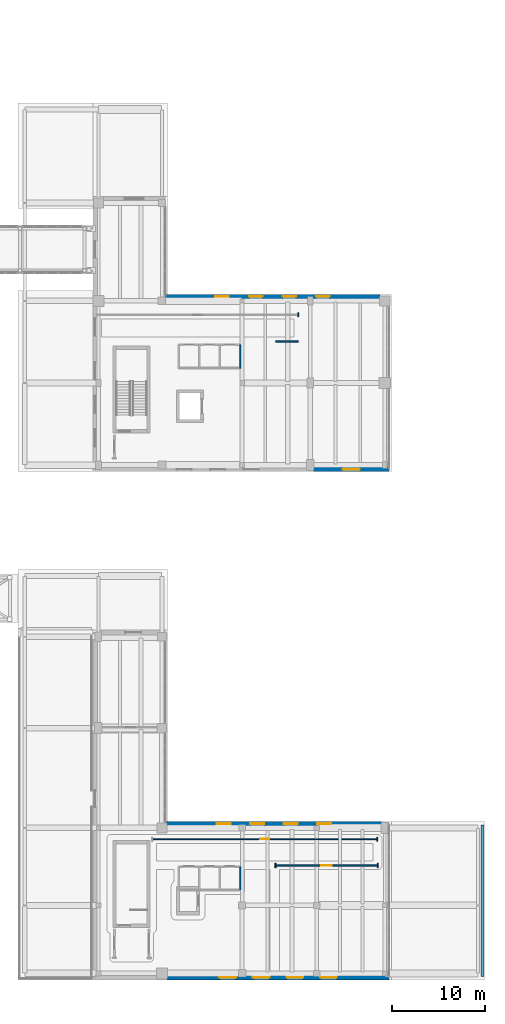
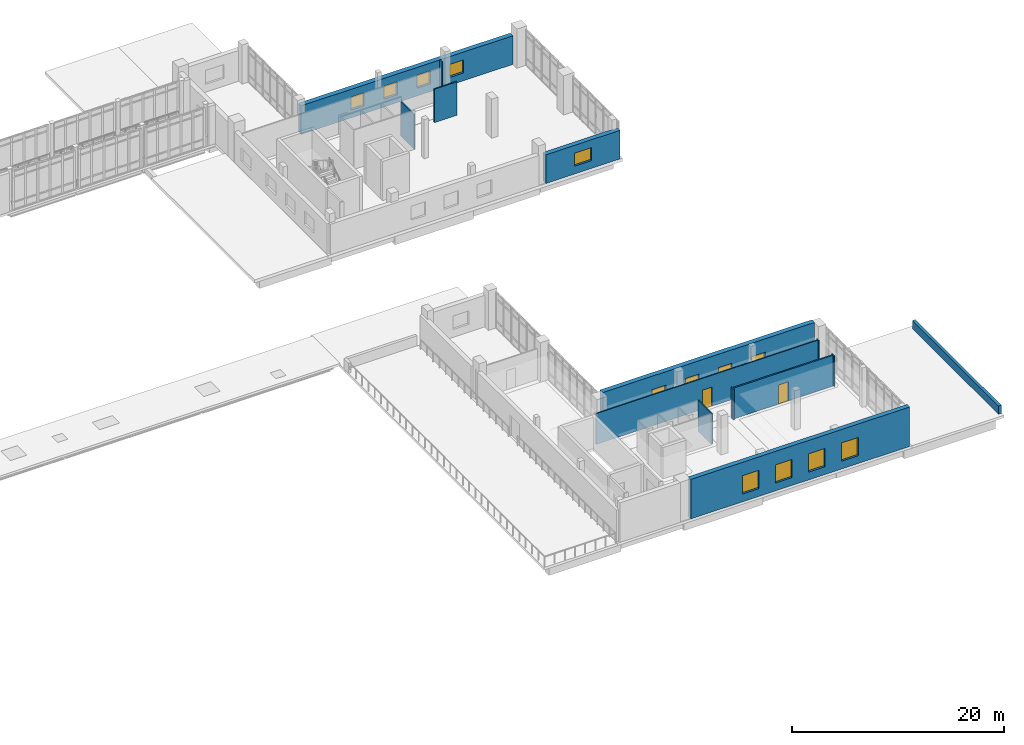
# One storey, part 60 of 75: 14 walls, 13 windows, 2 doors, 15 openings.
"""IFC4 building model written with IfcOpenShell, lengths in metres."""

from ifc_helpers import new_model, si_unit, direction, frame, frame_2d, origin, place, context, subcontext, project, spatial, rectangle, extrude, material, layer, layer_set, type_object, element, fill, save


model = new_model("IFC4")

# Units and contexts
model_context = context("Model", 3, precision=1e-05, world=origin(), true_north=direction((0.0, 1.0)))
body_context = subcontext(model_context, "Body", "Model", "MODEL_VIEW")
ifc_project = project(units=[si_unit("LENGTHUNIT", "METRE"), si_unit("AREAUNIT", "SQUARE_METRE"), si_unit("VOLUMEUNIT", "CUBIC_METRE"), si_unit("PLANEANGLEUNIT", "RADIAN"), si_unit("MASSUNIT", "GRAM", prefix="KILO")], contexts=[model_context])

# Site, building, storey
site_placement = place(None, origin())
site = spatial("IfcSite", under=ifc_project, at=site_placement, CompositionType="ELEMENT")
building_placement = place(site_placement, origin())
building = spatial("IfcBuilding", under=site, at=building_placement, Name="Soyqirgoq Riverine Aquarium", CompositionType="ELEMENT")
storey_placement = place(building_placement, frame((0.0, 0.0, 10.199951171875)))
storey = spatial("IfcBuildingStorey", under=building, at=storey_placement, Name="L03", CompositionType="ELEMENT", Elevation=10.199951171875)

# Wall
ifc_material_1 = material(Name="Precast concrete C40/50", Category="concrete")
ifc_layer_1 = layer(ifc_material_1, 0.300048828125)
ifc_layer_set_1 = layer_set([ifc_layer_1], Name="Precast concrete C40/50")
wall_type_1 = type_object("IfcWallType", Name="ParapetWall_300", PredefinedType="PARAPET", material=ifc_layer_set_1)
wall_1_placement = place(storey_placement, frame((163.780029296875, 18.1201171875, 0.0), z_axis=(0.0, 0.0, 1.0), x_axis=(0.0, -1.0, 0.0)))
element("IfcWall", 1, at=wall_1_placement, inside=storey, type_object=wall_type_1, Name="L03 Roof Parapet Upstand 006", PredefinedType="PARAPET", context=body_context, shape_type="SweptSolid", body=[
    extrude(rectangle(XDim=16.240234375, YDim=0.300048828125, at=frame_2d((8.1201171875, 0.0))), origin(), (0.0, 0.0, 1.0), 0.949951171875),
])

# Wall, opening, door
ifc_material_2 = material(Name="Lightweight steel-stud gypsum partition", Category="steel")
ifc_layer_2 = layer(ifc_material_2, 0.1201171875)
ifc_layer_set_2 = layer_set([ifc_layer_2], Name="Lightweight steel-stud gypsum partition")
wall_type_2 = type_object("IfcWallType", Name="PartitionWall_120_Std", PredefinedType="PARTITIONING", material=ifc_layer_set_2)
wall_2_placement = place(storey_placement, frame((152.5, 16.60009765625, 0.0), z_axis=(0.0, 0.0, 1.0), x_axis=(-1.0, 0.0, 0.0)))
wall_2 = element("IfcWall", 2, at=wall_2_placement, inside=storey, type_object=wall_type_2, Name="Library Reading Corridor Partition Wall", PredefinedType="PARTITIONING", context=body_context, shape_type="SweptSolid", body=[
    extrude(rectangle(XDim=24.14990234375, YDim=0.1201171875, at=frame_2d((12.074951171875, 0.0))), origin(), (0.0, 0.0, 1.0), 3.550048828125),
])
opening_1_placement = place(wall_2_placement, frame((11.574951171875, 0.0, 0.0)))
opening_1 = element("IfcOpeningElement", 3, at=opening_1_placement, cuts=wall_2, Name="Opening ID-03", PredefinedType="OPENING", context=body_context, shape_type="SweptSolid", body=[
    extrude(rectangle(XDim=1.0, YDim=2.199951171875, at=frame_2d((0.5, 1.10009765625))), frame((0.0, 0.070068359375, 0.0), z_axis=(0.0, -1.0, 0.0), x_axis=(1.0, 0.0, 0.0)), (0.0, 0.0, 1.0), 0.14013671875),
])
ifc_material_3 = material(Name="Solid-core ash veneer room door", Category="wood")
door_type_1 = type_object("IfcDoorType", Name="RoomDoor_1000x2200", OperationType="NOTDEFINED", PredefinedType="DOOR", material=ifc_material_3)
door_1_placement = place(opening_1_placement, origin())
door_1 = element("IfcDoor", 4, at=door_1_placement, inside=storey, type_object=door_type_1, Name="IDR-V6-L03-0200 Library Reading Corridor Door", OperationType="SINGLE_SWING_RIGHT", OverallHeight=2.199951171875, OverallWidth=1.0, PredefinedType="DOOR", context=body_context, shape_type="SweptSolid", body=[
    extrude(rectangle(XDim=1.0, YDim=2.199951171875, at=frame_2d((0.5, 1.10009765625))), frame((0.0, 0.02490234375, 0.0), z_axis=(0.0, -1.0, 0.0), x_axis=(1.0, 0.0, 0.0)), (0.0, 0.0, 1.0), 0.050048828125),
])
fill(opening_1, door_1)

# Walls
wall_3_placement = place(storey_placement, frame((152.5, 16.820068359375, 0.0), z_axis=(0.0, 0.0, 1.0), x_axis=(0.0, -1.0, 0.0)))
element("IfcWall", 5, at=wall_3_placement, inside=storey, type_object=wall_type_2, Name="V6 L03 Jamb Return Pier", PredefinedType="PARTITIONING", context=body_context, shape_type="SweptSolid", body=[
    extrude(rectangle(XDim=0.440185546875, YDim=0.1201171875, at=frame_2d((0.22021484375, 0.0))), origin(), (0.0, 0.0, 1.0), 3.550048828125),
])
for number, where, z_axis, x_axis, name in (
    (6, (152.530029296875, 13.989990234375, 0.0), (0.0, 0.0, 1.0), (0.0, -1.0, 0.0), "V6 L03 Jamb Return Pier"),
    (7, (141.580078125, 13.989990234375, 0.0), (0.0, 0.0, 1.0), (0.0, -1.0, 0.0), "V6 L03 Jamb Return Pier"),
):
    element("IfcWall", number, at=place(storey_placement, frame(where, z_axis=z_axis, x_axis=x_axis)), inside=storey, type_object=wall_type_2, Name=name, PredefinedType="PARTITIONING", context=body_context, shape_type="SweptSolid", body=[
        extrude(rectangle(XDim=0.43994140625, YDim=0.1201171875, at=frame_2d((0.219970703125, 0.0))), origin(), (0.0, 0.0, 1.0), 3.550048828125),
    ])
wall_4_placement = place(storey_placement, frame((144.0, 73.02001953125, 0.0), z_axis=(0.0, 0.0, 1.0), x_axis=(0.0, -1.0, 0.0)))
element("IfcWall", 8, at=wall_4_placement, inside=storey, type_object=wall_type_2, Name="V7 L03 Jamb Return Pier", PredefinedType="PARTITIONING", context=body_context, shape_type="SweptSolid", body=[
    extrude(rectangle(XDim=0.43994140625, YDim=0.1201171875, at=frame_2d((0.219970703125, 0.0))), origin(), (0.0, 0.0, 1.0), 4.5),
])
ifc_material_4 = material(Name="Moisture-resistant cement-board wet-room partition", Category="gypsum")
ifc_layer_3 = layer(ifc_material_4, 0.125)
ifc_layer_set_3 = layer_set([ifc_layer_3], Name="Moisture-resistant cement-board wet-room partition")
wall_type_3 = type_object("IfcWallType", Name="PartitionWall_125_Wet", PredefinedType="PARTITIONING", material=ifc_layer_set_3)
wall_5_placement = place(storey_placement, frame((137.800048828125, 11.14990234375, 0.0), z_axis=(0.0, 0.0, 1.0), x_axis=(0.0, 1.0, 0.0)))
element("IfcWall", 9, at=wall_5_placement, inside=storey, type_object=wall_type_3, Name="V6 L03 WC Suite East Wall", PredefinedType="PARTITIONING", context=body_context, shape_type="SweptSolid", body=[
    extrude(rectangle(XDim=2.5, YDim=0.125, at=frame_2d((1.25, 0.0))), origin(), (0.0, 0.0, 1.0), 3.550048828125),
])
wall_6_placement = place(storey_placement, frame((137.800048828125, 67.10009765625, 0.0), z_axis=(0.0, 0.0, 1.0), x_axis=(0.0, 1.0, 0.0)))
element("IfcWall", 10, at=wall_6_placement, inside=storey, type_object=wall_type_3, Name="V7 L03 WC Suite East Wall", PredefinedType="PARTITIONING", context=body_context, shape_type="SweptSolid", body=[
    extrude(rectangle(XDim=2.5, YDim=0.125, at=frame_2d((1.25, 0.0))), origin(), (0.0, 0.0, 1.0), 3.949951171875),
])

# Wall, opening, door
ifc_material_5 = material(Name="Fire-rated acoustic gypsum stud partition", Category="gypsum")
ifc_layer_4 = layer(ifc_material_5, 0.159912109375)
ifc_layer_set_4 = layer_set([ifc_layer_4], Name="Fire-rated acoustic gypsum stud partition")
wall_type_4 = type_object("IfcWallType", Name="PartitionWall_160_EI60", PredefinedType="PARTITIONING", material=ifc_layer_set_4)
wall_7_placement = place(storey_placement, frame((152.530029296875, 13.77001953125, 0.0), z_axis=(0.0, 0.0, 1.0), x_axis=(-1.0, 0.0, 0.0)))
wall_7 = element("IfcWall", 11, at=wall_7_placement, inside=storey, type_object=wall_type_4, Name="Marine Seminar Room Partition Wall", PredefinedType="PARTITIONING", context=body_context, shape_type="SweptSolid", body=[
    extrude(rectangle(XDim=10.949951171875, YDim=0.159912109375, at=frame_2d((5.47509765625, 0.0))), origin(), (0.0, 0.0, 1.0), 3.550048828125),
])
opening_2_placement = place(wall_7_placement, frame((4.925048828125, 0.0, 0.0)))
opening_2 = element("IfcOpeningElement", 12, at=opening_2_placement, cuts=wall_7, Name="Opening ID-04", PredefinedType="OPENING", context=body_context, shape_type="SweptSolid", body=[
    extrude(rectangle(XDim=1.10009765625, YDim=2.199951171875, at=frame_2d((0.550048828125, 1.10009765625))), frame((0.0, 0.08984375, 0.0), z_axis=(0.0, -1.0, 0.0), x_axis=(1.0, 0.0, 0.0)), (0.0, 0.0, 1.0), 0.179931640625),
])
ifc_material_6 = material(Name="Chemical-resistant HPL fire-rated laboratory door", Category="wood")
door_type_2 = type_object("IfcDoorType", Name="LabDoor_1100x2200_EI60", OperationType="NOTDEFINED", PredefinedType="DOOR", material=ifc_material_6)
door_2_placement = place(opening_2_placement, origin())
door_2 = element("IfcDoor", 13, at=door_2_placement, inside=storey, type_object=door_type_2, Name="IDR-V6-L03-0202 Library Reading Corridor Door", OperationType="SINGLE_SWING_RIGHT", OverallHeight=2.199951171875, OverallWidth=1.10009765625, PredefinedType="DOOR", context=body_context, shape_type="SweptSolid", body=[
    extrude(rectangle(XDim=1.10009765625, YDim=2.199951171875, at=frame_2d((0.550048828125, 1.10009765625))), frame((0.0, 0.02490234375, 0.0), z_axis=(0.0, -1.0, 0.0), x_axis=(1.0, 0.0, 0.0)), (0.0, 0.0, 1.0), 0.050048828125),
])
fill(opening_2, door_2)

# Wall
wall_8_placement = place(storey_placement, frame((144.030029296875, 69.969970703125, 0.0), z_axis=(0.0, 0.0, 1.0), x_axis=(-1.0, 0.0, 0.0)))
element("IfcWall", 14, at=wall_8_placement, inside=storey, type_object=wall_type_4, Name="Veterinary Laboratory Partition Wall", PredefinedType="PARTITIONING", context=body_context, shape_type="SweptSolid", body=[
    extrude(rectangle(XDim=2.449951171875, YDim=0.159912109375, at=frame_2d((1.22509765625, 0.0))), origin(), (0.0, 0.0, 1.0), 3.840087890625),
])

# Wall, openings, windows
ifc_material_7 = material(Name="Honed travertine limestone cavity wall", Category="masonry")
ifc_layer_5 = layer(ifc_material_7, 0.5)
ifc_layer_set_5 = layer_set([ifc_layer_5], Name="Honed travertine limestone cavity wall")
wall_type_5 = type_object("IfcWallType", Name="TravertineCavityWall_500", PredefinedType="SOLIDWALL", material=ifc_layer_set_5)
wall_9_placement = place(storey_placement, frame((153.75, 1.75, 0.0), z_axis=(0.0, 0.0, 1.0), x_axis=(-1.0, 0.0, 0.0)))
wall_9 = element("IfcWall", 15, at=wall_9_placement, inside=storey, type_object=wall_type_5, Name="V6 L03 Exterior Travertine Wall 0361", PredefinedType="SOLIDWALL", context=body_context, shape_type="SweptSolid", body=[
    extrude(rectangle(XDim=23.780029296875, YDim=0.5, at=frame_2d((11.89013671875, 0.0))), origin(), (0.0, 0.0, 1.0), 4.5400390625),
])
opening_3_placement = place(wall_9_placement, frame((5.590087890625, 0.0, 0.89990234375)))
opening_3 = element("IfcOpeningElement", 16, at=opening_3_placement, cuts=wall_9, Name="Opening WN-05", PredefinedType="OPENING", context=body_context, shape_type="SweptSolid", body=[
    extrude(rectangle(XDim=1.800048828125, YDim=2.10009765625, at=frame_2d((0.89990234375, 1.050048828125))), frame((0.0, 0.260009765625, 0.0), z_axis=(0.0, -1.0, 0.0), x_axis=(1.0, 0.0, 0.0)), (0.0, 0.0, 1.0), 0.52001953125),
])
opening_4_placement = place(wall_9_placement, frame((9.18994140625, 0.0, 0.89990234375)))
opening_4 = element("IfcOpeningElement", 17, at=opening_4_placement, cuts=wall_9, Name="Opening WN-05", PredefinedType="OPENING", context=body_context, shape_type="SweptSolid", body=[
    extrude(rectangle(XDim=1.800048828125, YDim=2.10009765625, at=frame_2d((0.89990234375, 1.050048828125))), frame((0.0, 0.260009765625, 0.0), z_axis=(0.0, -1.0, 0.0), x_axis=(1.0, 0.0, 0.0)), (0.0, 0.0, 1.0), 0.52001953125),
])
opening_5_placement = place(wall_9_placement, frame((12.7900390625, 0.0, 0.89990234375)))
opening_5 = element("IfcOpeningElement", 18, at=opening_5_placement, cuts=wall_9, Name="Opening WN-05", PredefinedType="OPENING", context=body_context, shape_type="SweptSolid", body=[
    extrude(rectangle(XDim=1.800048828125, YDim=2.10009765625, at=frame_2d((0.89990234375, 1.050048828125))), frame((0.0, 0.260009765625, 0.0), z_axis=(0.0, -1.0, 0.0), x_axis=(1.0, 0.0, 0.0)), (0.0, 0.0, 1.0), 0.52001953125),
])
opening_6_placement = place(wall_9_placement, frame((16.389892578125, 0.0, 0.89990234375)))
opening_6 = element("IfcOpeningElement", 19, at=opening_6_placement, cuts=wall_9, Name="Opening WN-05", PredefinedType="OPENING", context=body_context, shape_type="SweptSolid", body=[
    extrude(rectangle(XDim=1.800048828125, YDim=2.10009765625, at=frame_2d((0.89990234375, 1.050048828125))), frame((0.0, 0.260009765625, 0.0), z_axis=(0.0, -1.0, 0.0), x_axis=(1.0, 0.0, 0.0)), (0.0, 0.0, 1.0), 0.52001953125),
])
ifc_material_8 = material(Name="Thermally broken aluminium triple low-E window", Category="aluminium")
window_type_1 = type_object("IfcWindowType", Name="Win_Gallery_1800x2100", PartitioningType="DOUBLE_PANEL_VERTICAL", PredefinedType="WINDOW", material=ifc_material_8)
window_1_placement = place(opening_3_placement, origin())
window_1 = element("IfcWindow", 20, at=window_1_placement, inside=storey, type_object=window_type_1, Name="V6 L03 Facade Window 0299", OverallHeight=2.10009765625, OverallWidth=1.800048828125, PartitioningType="DOUBLE_PANEL_VERTICAL", PredefinedType="WINDOW", context=body_context, shape_type="SweptSolid", body=[
    extrude(rectangle(XDim=1.800048828125, YDim=2.10009765625, at=frame_2d((0.89990234375, 1.050048828125))), frame((0.0, 0.030029296875, 0.0), z_axis=(0.0, -1.0, 0.0), x_axis=(1.0, 0.0, 0.0)), (0.0, 0.0, 1.0), 0.06005859375),
])
fill(opening_3, window_1)
window_2_placement = place(opening_4_placement, origin())
window_2 = element("IfcWindow", 21, at=window_2_placement, inside=storey, type_object=window_type_1, Name="V6 L03 Facade Window 0300", OverallHeight=2.10009765625, OverallWidth=1.800048828125, PartitioningType="DOUBLE_PANEL_VERTICAL", PredefinedType="WINDOW", context=body_context, shape_type="SweptSolid", body=[
    extrude(rectangle(XDim=1.800048828125, YDim=2.10009765625, at=frame_2d((0.89990234375, 1.050048828125))), frame((0.0, 0.030029296875, 0.0), z_axis=(0.0, -1.0, 0.0), x_axis=(1.0, 0.0, 0.0)), (0.0, 0.0, 1.0), 0.06005859375),
])
fill(opening_4, window_2)
window_3_placement = place(opening_5_placement, origin())
window_3 = element("IfcWindow", 22, at=window_3_placement, inside=storey, type_object=window_type_1, Name="V6 L03 Facade Window 0301", OverallHeight=2.10009765625, OverallWidth=1.800048828125, PartitioningType="DOUBLE_PANEL_VERTICAL", PredefinedType="WINDOW", context=body_context, shape_type="SweptSolid", body=[
    extrude(rectangle(XDim=1.800048828125, YDim=2.10009765625, at=frame_2d((0.89990234375, 1.050048828125))), frame((0.0, 0.030029296875, 0.0), z_axis=(0.0, -1.0, 0.0), x_axis=(1.0, 0.0, 0.0)), (0.0, 0.0, 1.0), 0.06005859375),
])
fill(opening_5, window_3)
window_4_placement = place(opening_6_placement, origin())
window_4 = element("IfcWindow", 23, at=window_4_placement, inside=storey, type_object=window_type_1, Name="V6 L03 Facade Window 0302", OverallHeight=2.10009765625, OverallWidth=1.800048828125, PartitioningType="DOUBLE_PANEL_VERTICAL", PredefinedType="WINDOW", context=body_context, shape_type="SweptSolid", body=[
    extrude(rectangle(XDim=1.800048828125, YDim=2.10009765625, at=frame_2d((0.89990234375, 1.050048828125))), frame((0.0, 0.030029296875, 0.0), z_axis=(0.0, -1.0, 0.0), x_axis=(1.0, 0.0, 0.0)), (0.0, 0.0, 1.0), 0.06005859375),
])
fill(opening_6, window_4)

# Wall, opening, window
wall_10_placement = place(storey_placement, frame((153.75, 56.25, 0.0), z_axis=(0.0, 0.0, 1.0), x_axis=(-1.0, 0.0, 0.0)))
wall_10 = element("IfcWall", 24, at=wall_10_placement, inside=storey, type_object=wall_type_5, Name="V7 L03 Exterior Travertine Wall 0392", PredefinedType="SOLIDWALL", context=body_context, shape_type="SweptSolid", body=[
    extrude(rectangle(XDim=8.080078125, YDim=0.5, at=frame_2d((4.0400390625, 0.0))), origin(), (0.0, 0.0, 1.0), 3.2900390625),
])
opening_7_placement = place(wall_10_placement, frame((3.114990234375, 0.0, 0.89990234375)))
opening_7 = element("IfcOpeningElement", 25, at=opening_7_placement, cuts=wall_10, Name="Opening WN-16", PredefinedType="OPENING", context=body_context, shape_type="SweptSolid", body=[
    extrude(rectangle(XDim=1.85009765625, YDim=1.5, at=frame_2d((0.925048828125, 0.75))), frame((0.0, 0.260009765625, 0.0), z_axis=(0.0, -1.0, 0.0), x_axis=(1.0, 0.0, 0.0)), (0.0, 0.0, 1.0), 0.52001953125),
])
ifc_material_9 = material(Name="Thermally broken aluminium triple low-E window", Category="aluminium")
window_type_2 = type_object("IfcWindowType", Name="Win_Lab_1850x1500", PartitioningType="DOUBLE_PANEL_VERTICAL", PredefinedType="WINDOW", material=ifc_material_9)
window_5_placement = place(opening_7_placement, origin())
window_5 = element("IfcWindow", 26, at=window_5_placement, inside=storey, type_object=window_type_2, Name="V7 L03 Facade Window 0357", OverallHeight=1.5, OverallWidth=1.85009765625, PartitioningType="DOUBLE_PANEL_VERTICAL", PredefinedType="WINDOW", context=body_context, shape_type="SweptSolid", body=[
    extrude(rectangle(XDim=1.85009765625, YDim=1.5, at=frame_2d((0.925048828125, 0.75))), frame((0.0, 0.030029296875, 0.0), z_axis=(0.0, -1.0, 0.0), x_axis=(1.0, 0.0, 0.0)), (0.0, 0.0, 1.0), 0.06005859375),
])
fill(opening_7, window_5)

# Wall, openings, windows
ifc_material_10 = material(Name="Honed travertine limestone cavity wall", Category="masonry")
ifc_layer_6 = layer(ifc_material_10, 0.52001953125)
ifc_layer_set_6 = layer_set([ifc_layer_6], Name="Honed travertine limestone cavity wall")
wall_type_6 = type_object("IfcWallType", Name="TravertineCavityWall_520", PredefinedType="SOLIDWALL", material=ifc_layer_set_6)
wall_11_placement = place(storey_placement, frame((129.919921875, 18.25, 0.0), z_axis=(0.0, 0.0, 1.0), x_axis=(1.0, 0.0, 0.0)))
wall_11 = element("IfcWall", 27, at=wall_11_placement, inside=storey, type_object=wall_type_6, Name="V6 L03 Exterior Travertine Wall 0360", PredefinedType="SOLIDWALL", context=body_context, shape_type="SweptSolid", body=[
    extrude(rectangle(XDim=23.010009765625, YDim=0.52001953125, at=frame_2d((11.5048828125, 0.0))), origin(), (0.0, 0.0, 1.0), 4.5400390625),
])
opening_8_placement = place(wall_11_placement, frame((5.35498046875, 0.0, 0.89990234375)))
opening_8 = element("IfcOpeningElement", 28, at=opening_8_placement, cuts=wall_11, Name="Opening WN-04", PredefinedType="OPENING", context=body_context, shape_type="SweptSolid", body=[
    extrude(rectangle(XDim=1.5, YDim=2.10009765625, at=frame_2d((0.75, 1.050048828125))), frame((0.0, 0.27001953125, 0.0), z_axis=(0.0, -1.0, 0.0), x_axis=(1.0, 0.0, 0.0)), (0.0, 0.0, 1.0), 0.5400390625),
])
opening_9_placement = place(wall_11_placement, frame((8.955078125, 0.0, 0.89990234375)))
opening_9 = element("IfcOpeningElement", 29, at=opening_9_placement, cuts=wall_11, Name="Opening WN-04", PredefinedType="OPENING", context=body_context, shape_type="SweptSolid", body=[
    extrude(rectangle(XDim=1.5, YDim=2.10009765625, at=frame_2d((0.75, 1.050048828125))), frame((0.0, 0.27001953125, 0.0), z_axis=(0.0, -1.0, 0.0), x_axis=(1.0, 0.0, 0.0)), (0.0, 0.0, 1.0), 0.5400390625),
])
opening_10_placement = place(wall_11_placement, frame((12.554931640625, 0.0, 0.89990234375)))
opening_10 = element("IfcOpeningElement", 30, at=opening_10_placement, cuts=wall_11, Name="Opening WN-04", PredefinedType="OPENING", context=body_context, shape_type="SweptSolid", body=[
    extrude(rectangle(XDim=1.5, YDim=2.10009765625, at=frame_2d((0.75, 1.050048828125))), frame((0.0, 0.27001953125, 0.0), z_axis=(0.0, -1.0, 0.0), x_axis=(1.0, 0.0, 0.0)), (0.0, 0.0, 1.0), 0.5400390625),
])
opening_11_placement = place(wall_11_placement, frame((16.155029296875, 0.0, 0.89990234375)))
opening_11 = element("IfcOpeningElement", 31, at=opening_11_placement, cuts=wall_11, Name="Opening WN-04", PredefinedType="OPENING", context=body_context, shape_type="SweptSolid", body=[
    extrude(rectangle(XDim=1.5, YDim=2.10009765625, at=frame_2d((0.75, 1.050048828125))), frame((0.0, 0.27001953125, 0.0), z_axis=(0.0, -1.0, 0.0), x_axis=(1.0, 0.0, 0.0)), (0.0, 0.0, 1.0), 0.5400390625),
])
ifc_material_11 = material(Name="Thermally broken aluminium triple low-E window", Category="aluminium")
window_type_3 = type_object("IfcWindowType", Name="Win_Gallery_1500x2100", PartitioningType="DOUBLE_PANEL_VERTICAL", PredefinedType="WINDOW", material=ifc_material_11)
window_6_placement = place(opening_8_placement, origin())
window_6 = element("IfcWindow", 32, at=window_6_placement, inside=storey, type_object=window_type_3, Name="V6 L03 Facade Window 0295", OverallHeight=2.10009765625, OverallWidth=1.5, PartitioningType="DOUBLE_PANEL_VERTICAL", PredefinedType="WINDOW", context=body_context, shape_type="SweptSolid", body=[
    extrude(rectangle(XDim=1.5, YDim=2.10009765625, at=frame_2d((0.75, 1.050048828125))), frame((0.0, 0.030029296875, 0.0), z_axis=(0.0, -1.0, 0.0), x_axis=(1.0, 0.0, 0.0)), (0.0, 0.0, 1.0), 0.06005859375),
])
fill(opening_8, window_6)
window_7_placement = place(opening_9_placement, origin())
window_7 = element("IfcWindow", 33, at=window_7_placement, inside=storey, type_object=window_type_3, Name="V6 L03 Facade Window 0296", OverallHeight=2.10009765625, OverallWidth=1.5, PartitioningType="DOUBLE_PANEL_VERTICAL", PredefinedType="WINDOW", context=body_context, shape_type="SweptSolid", body=[
    extrude(rectangle(XDim=1.5, YDim=2.10009765625, at=frame_2d((0.75, 1.050048828125))), frame((0.0, 0.030029296875, 0.0), z_axis=(0.0, -1.0, 0.0), x_axis=(1.0, 0.0, 0.0)), (0.0, 0.0, 1.0), 0.06005859375),
])
fill(opening_9, window_7)
window_8_placement = place(opening_10_placement, origin())
window_8 = element("IfcWindow", 34, at=window_8_placement, inside=storey, type_object=window_type_3, Name="V6 L03 Facade Window 0297", OverallHeight=2.10009765625, OverallWidth=1.5, PartitioningType="DOUBLE_PANEL_VERTICAL", PredefinedType="WINDOW", context=body_context, shape_type="SweptSolid", body=[
    extrude(rectangle(XDim=1.5, YDim=2.10009765625, at=frame_2d((0.75, 1.050048828125))), frame((0.0, 0.030029296875, 0.0), z_axis=(0.0, -1.0, 0.0), x_axis=(1.0, 0.0, 0.0)), (0.0, 0.0, 1.0), 0.06005859375),
])
fill(opening_10, window_8)
window_9_placement = place(opening_11_placement, origin())
window_9 = element("IfcWindow", 35, at=window_9_placement, inside=storey, type_object=window_type_3, Name="V6 L03 Facade Window 0298", OverallHeight=2.10009765625, OverallWidth=1.5, PartitioningType="DOUBLE_PANEL_VERTICAL", PredefinedType="WINDOW", context=body_context, shape_type="SweptSolid", body=[
    extrude(rectangle(XDim=1.5, YDim=2.10009765625, at=frame_2d((0.75, 1.050048828125))), frame((0.0, 0.030029296875, 0.0), z_axis=(0.0, -1.0, 0.0), x_axis=(1.0, 0.0, 0.0)), (0.0, 0.0, 1.0), 0.06005859375),
])
fill(opening_11, window_9)

wall_12_placement = place(storey_placement, frame((129.75, 74.75, 0.0), z_axis=(0.0, 0.0, 1.0), x_axis=(1.0, 0.0, 0.0)))
wall_12 = element("IfcWall", 36, at=wall_12_placement, inside=storey, type_object=wall_type_6, Name="V7 L03 Exterior Travertine Wall 0391", PredefinedType="SOLIDWALL", context=body_context, shape_type="SweptSolid", body=[
    extrude(rectangle(XDim=23.030029296875, YDim=0.52001953125, at=frame_2d((11.51513671875, 0.0))), origin(), (0.0, 0.0, 1.0), 3.2900390625),
])
opening_12_placement = place(wall_12_placement, frame((5.389892578125, 0.0, 0.89990234375)))
opening_12 = element("IfcOpeningElement", 37, at=opening_12_placement, cuts=wall_12, Name="Opening WN-15", PredefinedType="OPENING", context=body_context, shape_type="SweptSolid", body=[
    extrude(rectangle(XDim=1.449951171875, YDim=1.5, at=frame_2d((0.72509765625, 0.75))), frame((0.0, 0.27001953125, 0.0), z_axis=(0.0, -1.0, 0.0), x_axis=(1.0, 0.0, 0.0)), (0.0, 0.0, 1.0), 0.5400390625),
])
opening_13_placement = place(wall_12_placement, frame((8.989990234375, 0.0, 0.89990234375)))
opening_13 = element("IfcOpeningElement", 38, at=opening_13_placement, cuts=wall_12, Name="Opening WN-15", PredefinedType="OPENING", context=body_context, shape_type="SweptSolid", body=[
    extrude(rectangle(XDim=1.449951171875, YDim=1.5, at=frame_2d((0.72509765625, 0.75))), frame((0.0, 0.27001953125, 0.0), z_axis=(0.0, -1.0, 0.0), x_axis=(1.0, 0.0, 0.0)), (0.0, 0.0, 1.0), 0.5400390625),
])
opening_14_placement = place(wall_12_placement, frame((12.590087890625, 0.0, 0.89990234375)))
opening_14 = element("IfcOpeningElement", 39, at=opening_14_placement, cuts=wall_12, Name="Opening WN-15", PredefinedType="OPENING", context=body_context, shape_type="SweptSolid", body=[
    extrude(rectangle(XDim=1.449951171875, YDim=1.5, at=frame_2d((0.72509765625, 0.75))), frame((0.0, 0.27001953125, 0.0), z_axis=(0.0, -1.0, 0.0), x_axis=(1.0, 0.0, 0.0)), (0.0, 0.0, 1.0), 0.5400390625),
])
opening_15_placement = place(wall_12_placement, frame((16.18994140625, 0.0, 0.89990234375)))
opening_15 = element("IfcOpeningElement", 40, at=opening_15_placement, cuts=wall_12, Name="Opening WN-15", PredefinedType="OPENING", context=body_context, shape_type="SweptSolid", body=[
    extrude(rectangle(XDim=1.449951171875, YDim=1.5, at=frame_2d((0.72509765625, 0.75))), frame((0.0, 0.27001953125, 0.0), z_axis=(0.0, -1.0, 0.0), x_axis=(1.0, 0.0, 0.0)), (0.0, 0.0, 1.0), 0.5400390625),
])
ifc_material_12 = material(Name="Thermally broken aluminium triple low-E window", Category="aluminium")
window_type_4 = type_object("IfcWindowType", Name="Win_Lab_1450x1500", PartitioningType="DOUBLE_PANEL_VERTICAL", PredefinedType="WINDOW", material=ifc_material_12)
window_10_placement = place(opening_12_placement, origin())
window_10 = element("IfcWindow", 41, at=window_10_placement, inside=storey, type_object=window_type_4, Name="V7 L03 Facade Window 0353", OverallHeight=1.5, OverallWidth=1.449951171875, PartitioningType="DOUBLE_PANEL_VERTICAL", PredefinedType="WINDOW", context=body_context, shape_type="SweptSolid", body=[
    extrude(rectangle(XDim=1.449951171875, YDim=1.5, at=frame_2d((0.72509765625, 0.75))), frame((0.0, 0.030029296875, 0.0), z_axis=(0.0, -1.0, 0.0), x_axis=(1.0, 0.0, 0.0)), (0.0, 0.0, 1.0), 0.06005859375),
])
fill(opening_12, window_10)
window_11_placement = place(opening_13_placement, origin())
window_11 = element("IfcWindow", 42, at=window_11_placement, inside=storey, type_object=window_type_4, Name="V7 L03 Facade Window 0354", OverallHeight=1.5, OverallWidth=1.449951171875, PartitioningType="DOUBLE_PANEL_VERTICAL", PredefinedType="WINDOW", context=body_context, shape_type="SweptSolid", body=[
    extrude(rectangle(XDim=1.449951171875, YDim=1.5, at=frame_2d((0.72509765625, 0.75))), frame((0.0, 0.030029296875, 0.0), z_axis=(0.0, -1.0, 0.0), x_axis=(1.0, 0.0, 0.0)), (0.0, 0.0, 1.0), 0.06005859375),
])
fill(opening_13, window_11)
window_12_placement = place(opening_14_placement, origin())
window_12 = element("IfcWindow", 43, at=window_12_placement, inside=storey, type_object=window_type_4, Name="V7 L03 Facade Window 0355", OverallHeight=1.5, OverallWidth=1.449951171875, PartitioningType="DOUBLE_PANEL_VERTICAL", PredefinedType="WINDOW", context=body_context, shape_type="SweptSolid", body=[
    extrude(rectangle(XDim=1.449951171875, YDim=1.5, at=frame_2d((0.72509765625, 0.75))), frame((0.0, 0.030029296875, 0.0), z_axis=(0.0, -1.0, 0.0), x_axis=(1.0, 0.0, 0.0)), (0.0, 0.0, 1.0), 0.06005859375),
])
fill(opening_14, window_12)
window_13_placement = place(opening_15_placement, origin())
window_13 = element("IfcWindow", 44, at=window_13_placement, inside=storey, type_object=window_type_4, Name="V7 L03 Facade Window 0356", OverallHeight=1.5, OverallWidth=1.449951171875, PartitioningType="DOUBLE_PANEL_VERTICAL", PredefinedType="WINDOW", context=body_context, shape_type="SweptSolid", body=[
    extrude(rectangle(XDim=1.449951171875, YDim=1.5, at=frame_2d((0.72509765625, 0.75))), frame((0.0, 0.030029296875, 0.0), z_axis=(0.0, -1.0, 0.0), x_axis=(1.0, 0.0, 0.0)), (0.0, 0.0, 1.0), 0.06005859375),
])
fill(opening_15, window_13)

save(model, "model.ifc")
